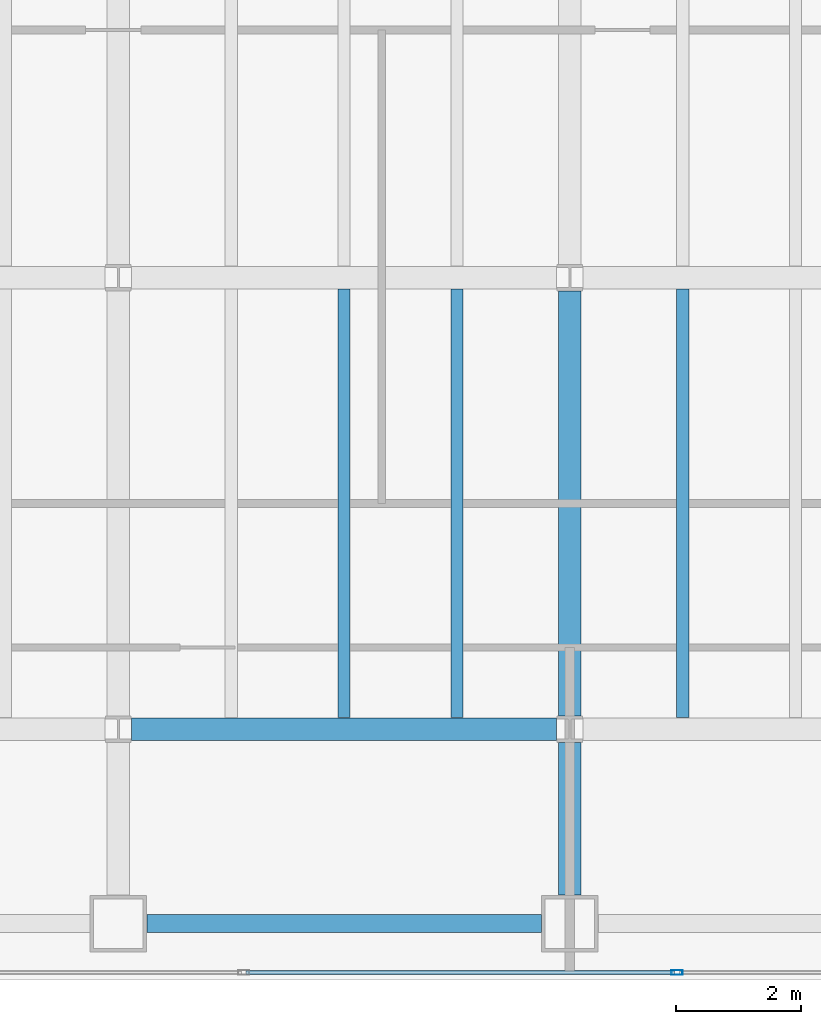
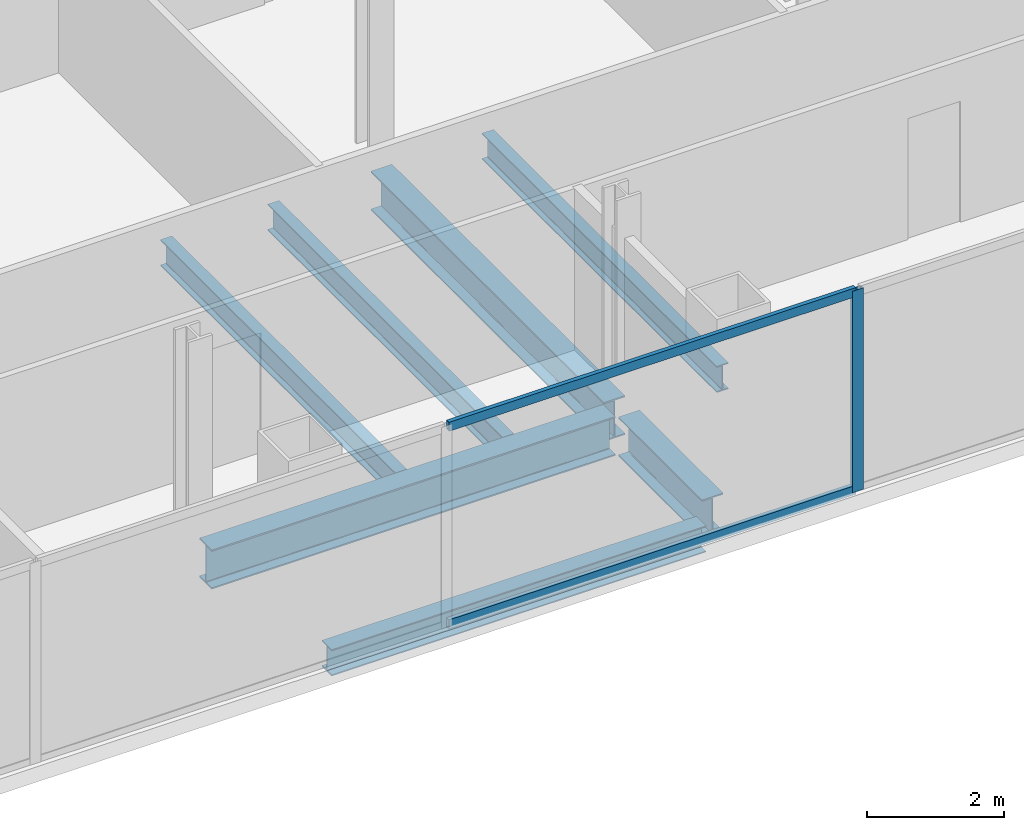
# One storey, part 5 of 24: 7 beams, 3 members, 1 element without a shape of its own.
"""IFC4 building model written with IfcOpenShell, lengths in metres."""

import ifcopenshell
import ifcopenshell.guid

model = None  # the IFC model being written
_history = None  # IfcOwnerHistory: only IFC2X3 demands one
_inside = {}  # id of a spatial element -> (the spatial element, [elements in it])
_under = {}  # id of a project, library or spatial element -> (it, [spatial elements below it])
_declared = {}  # id of a project -> (the project, [libraries it declares])
_typed = {}  # id of a type object -> (the type object, [elements of that type])
_made_of = {}  # id of a material, layer set ... -> (it, [elements and type objects made of it])


def new_model(schema):
    """Start an empty IFC model of exactly this schema.

    Asked for "IFC4X3", IfcOpenShell would pick the latest addendum, in which some entities
    have other attributes; the version numbers below select the first issue.
    IFC2X3 requires an IfcOwnerHistory on every rooted entity: one is made here for all.
    """
    global model, _history
    if schema == "IFC4X3":
        model = ifcopenshell.file(schema_version=(4, 3, 0, 0))
    else:
        model = ifcopenshell.file(schema=schema)
    _inside.clear()
    _under.clear()
    _declared.clear()
    _typed.clear()
    _made_of.clear()
    _history = None
    if model.schema == "IFC2X3":
        org = make("IfcOrganization", Name="unknown")
        user = make(
            "IfcPersonAndOrganization",
            ThePerson=make("IfcPerson", FamilyName="unknown"),
            TheOrganization=org,
        )
        app = make(
            "IfcApplication",
            ApplicationDeveloper=org,
            Version="unknown",
            ApplicationFullName="unknown",
            ApplicationIdentifier="unknown",
        )
        _history = make(
            "IfcOwnerHistory",
            OwningUser=user,
            OwningApplication=app,
            ChangeAction="ADDED",
            CreationDate=0,
        )
    return model


def make(cls, **values):
    """One entity of the class cls with the attributes given. An attribute that is None is left unset."""
    return model.create_entity(
        cls, **{name: value for name, value in values.items() if value is not None}
    )


def rooted(cls, **values):
    """An entity with a GlobalId (a new one), such as an element, a storey or a relation."""
    return make(cls, GlobalId=ifcopenshell.guid.new(), OwnerHistory=_history, **values)


def si_unit(unit_type, name, prefix=None):
    """IfcSIUnit, for example si_unit("LENGTHUNIT", "METRE", prefix="MILLI")."""
    return make("IfcSIUnit", UnitType=unit_type, Prefix=prefix, Name=name)


def assignment(units):
    """IfcUnitAssignment: the units of a project."""
    return None if units is None else make("IfcUnitAssignment", Units=units)


def point(xyz):
    """IfcCartesianPoint."""
    return None if xyz is None else make("IfcCartesianPoint", Coordinates=xyz)


def direction(xyz):
    """IfcDirection."""
    return None if xyz is None else make("IfcDirection", DirectionRatios=xyz)


def frame(location, z_axis=None, x_axis=None):
    """IfcAxis2Placement3D, a coordinate frame: its origin and axes. An axis left out is left unset."""
    return make(
        "IfcAxis2Placement3D",
        Location=point(location),
        Axis=direction(z_axis),
        RefDirection=direction(x_axis),
    )


def frame_2d(location, x_axis=None):
    """IfcAxis2Placement2D, a coordinate frame in the plane: its origin and x axis."""
    return make(
        "IfcAxis2Placement2D", Location=point(location), RefDirection=direction(x_axis)
    )


def origin():
    """The frame at (0, 0, 0) with its axes left unset."""
    return frame((0.0, 0.0, 0.0))


def origin_2d():
    """The frame at (0, 0) in the plane with its x axis left unset."""
    return frame_2d((0.0, 0.0))


def place(relative_to, where):
    """IfcLocalPlacement: puts the frame where relative to a parent placement (None: the world)."""
    return make(
        "IfcLocalPlacement", PlacementRelTo=relative_to, RelativePlacement=where
    )


def context(
    kind, dimensions, precision=None, world=None, true_north=None, identifier=None
):
    """IfcGeometricRepresentationContext, for example the 3D "Model" context."""
    return make(
        "IfcGeometricRepresentationContext",
        ContextIdentifier=identifier,
        ContextType=kind,
        CoordinateSpaceDimension=dimensions,
        Precision=precision,
        WorldCoordinateSystem=world,
        TrueNorth=true_north,
    )


def subcontext(parent, identifier, kind, view, scale=None):
    """IfcGeometricRepresentationSubContext, for example "Body" below "Model"."""
    return make(
        "IfcGeometricRepresentationSubContext",
        ContextIdentifier=identifier,
        ContextType=kind,
        ParentContext=parent,
        TargetScale=scale,
        TargetView=view,
    )


def project(units=None, contexts=None):
    """IfcProject with its units and contexts."""
    return rooted(
        "IfcProject",
        Name="project",
        RepresentationContexts=contexts,
        UnitsInContext=assignment(units),
    )


def spatial(cls, under=None, at=None, **own):
    """A site, building, storey or space (cls), placed at a placement, below another one or the project."""
    s = rooted(cls, ObjectPlacement=at, **own)
    if under is not None:
        _under.setdefault(under.id(), (under, []))[1].append(s)
    return s


def profile(cls, at=None, kind="AREA", **sizes):
    """A parametric profile (cls). Its sizes go by their IFC names, for example OverallWidth=200.0."""
    return make(cls, ProfileType=kind, Position=at, **sizes)


def hollow_rectangle(**sizes):
    """IfcRectangleHollowProfileDef."""
    return profile("IfcRectangleHollowProfileDef", **sizes)


def i_section(**sizes):
    """IfcIShapeProfileDef."""
    return profile("IfcIShapeProfileDef", **sizes)


def extrude(swept, where, along, depth):
    """IfcExtrudedAreaSolid: the profile swept, set in the frame where, extruded along a direction by depth."""
    return make(
        "IfcExtrudedAreaSolid",
        SweptArea=swept,
        Position=where,
        ExtrudedDirection=direction(along),
        Depth=depth,
    )


def shape(context_of_items, identifier, shape_type, items):
    """IfcShapeRepresentation: the items that make up one representation, for example the "Body"."""
    return make(
        "IfcShapeRepresentation",
        ContextOfItems=context_of_items,
        RepresentationIdentifier=identifier,
        RepresentationType=shape_type,
        Items=items,
    )


def material(Name=None, Category=None):
    """IfcMaterial."""
    return make("IfcMaterial", Name=Name, Category=Category)


def material_profile(
    of_material, cross_section, Name=None, Category=None, Priority=None
):
    """IfcMaterialProfile: a cross section and its material."""
    return make(
        "IfcMaterialProfile",
        Name=Name,
        Material=of_material,
        Profile=cross_section,
        Priority=Priority,
        Category=Category,
    )


def profile_set(profiles, Name=None, composite=None):
    """IfcMaterialProfileSet."""
    return make(
        "IfcMaterialProfileSet",
        Name=Name,
        MaterialProfiles=profiles,
        CompositeProfile=composite,
    )


def made_of(thing, what):
    """Note that an element or type object is made of a material, layer set ...; save() writes the relation."""
    if what is not None:
        _made_of.setdefault(what.id(), (what, []))[1].append(thing)
    return thing


def type_object(cls, material=None, **own):
    """A type object (cls), such as IfcWallType, which elements share."""
    return made_of(rooted(cls, **own), material)


def element(
    cls,
    number,
    at=None,
    inside=None,
    cuts=None,
    type_object=None,
    material=None,
    context=None,
    identifier="Body",
    shape_type=None,
    held_by="IfcProductDefinitionShape",
    body=None,
    shapes=None,
    **own,
):
    """One element of the class cls, such as IfcWall. Its Tag is "e" and its number.

    at: its placement. inside: the storey or other place that contains it. cuts: it is an
    opening in that element (IfcRelVoidsElement). A single representation is given by context,
    identifier, shape_type and body (its items); several are given by shapes. held_by: the class
    of the entity that holds the representations. save() writes the other relations.
    """
    e = rooted(cls, Tag="e%d" % number, ObjectPlacement=at, **own)
    if body is not None:
        shapes = [shape(context, identifier, shape_type, body)]
    if shapes is not None:
        e.Representation = make(held_by, Representations=shapes)
    if inside is not None:
        _inside.setdefault(inside.id(), (inside, []))[1].append(e)
    if cuts is not None:
        rooted(
            "IfcRelVoidsElement", RelatingBuildingElement=cuts, RelatedOpeningElement=e
        )
    if type_object is not None:
        _typed.setdefault(type_object.id(), (type_object, []))[1].append(e)
    return made_of(e, material)


def aggregate(whole, parts):
    """IfcRelAggregates: a whole, such as a stair, and the parts it consists of."""
    return rooted("IfcRelAggregates", RelatingObject=whole, RelatedObjects=parts)


def save(model, path):
    """Write the relations noted so far, then the file.

    IfcRelAggregates (storeys below a building ...), IfcRelContainedInSpatialStructure (elements
    in a storey), IfcRelDefinesByType, IfcRelAssociatesMaterial and IfcRelDeclares: one each for
    every whole, place, type object, material and project.
    """
    for whole, parts in _under.values():
        aggregate(whole, parts)
    for where, things in _inside.values():
        rooted(
            "IfcRelContainedInSpatialStructure",
            RelatedElements=things,
            RelatingStructure=where,
        )
    for kind, things in _typed.values():
        rooted("IfcRelDefinesByType", RelatedObjects=things, RelatingType=kind)
    for what, things in _made_of.values():
        rooted("IfcRelAssociatesMaterial", RelatedObjects=things, RelatingMaterial=what)
    for by, libraries in _declared.values():
        rooted("IfcRelDeclares", RelatingContext=by, RelatedDefinitions=libraries)
    model.write(path)


model = new_model("IFC4")

# Units and contexts
model_context = context("Model", 3, precision=1e-05, world=origin(), true_north=direction((0.0, 1.0)))
body_context = subcontext(model_context, "Body", "Model", "MODEL_VIEW")
ifc_project = project(units=[si_unit("LENGTHUNIT", "METRE"), si_unit("AREAUNIT", "SQUARE_METRE"), si_unit("VOLUMEUNIT", "CUBIC_METRE"), si_unit("PLANEANGLEUNIT", "RADIAN"), si_unit("MASSUNIT", "GRAM", prefix="KILO")], contexts=[model_context])

# Site, building, storey
site_placement = place(None, origin())
site = spatial("IfcSite", under=ifc_project, at=site_placement, CompositionType="ELEMENT")
building_placement = place(site_placement, origin())
building = spatial("IfcBuilding", under=site, at=building_placement, Name="Cobrela Telecom Tower", CompositionType="ELEMENT")
storey_placement = place(building_placement, frame((0.0, 0.0, 121.449951171875)))
storey = spatial("IfcBuildingStorey", under=building, at=storey_placement, Name="L30", CompositionType="ELEMENT", Elevation=121.449951171875)

# Beams
ifc_material_1 = material(Name="Steel ASTM A992 Grade 50", Category="steel")
ifc_material_profile_1 = material_profile(ifc_material_1, i_section(OverallWidth=0.35595703125, OverallDepth=0.696044921875, WebThickness=0.015380859375, FlangeThickness=0.024658203125, FilletRadius=0.01806640625, at=origin_2d()), Name="W27X146")
ifc_profile_set_1 = profile_set([ifc_material_profile_1], Name="Steel ASTM A992 Grade 50")
beam_type_1 = type_object("IfcBeamType", Name="BM-GIRD-05", PredefinedType="USERDEFINED", material=ifc_profile_set_1)
beam_1_placement = place(storey_placement, frame((21.8095703125, 7.199951171875, -0.617919921875), z_axis=(1.0, 0.0, 0.0), x_axis=(0.0, 1.0, 0.0)))
element("IfcBeam", 1, at=beam_1_placement, inside=storey, type_object=beam_type_1, Name="L30 Primary Girder X09", ObjectType="GIRDER", PredefinedType="USERDEFINED", context=body_context, shape_type="SweptSolid", body=[
    extrude(i_section(OverallWidth=0.35595703125, OverallDepth=0.696044921875, WebThickness=0.015380859375, FlangeThickness=0.024658203125, FilletRadius=0.01806640625, at=origin_2d()), origin(), (0.0, 0.0, 1.0), 6.781005859375),
])
beam_2_placement = place(storey_placement, frame((28.800048828125, 4.554931640625, -0.617919921875), z_axis=(0.0, 1.0, 0.0), x_axis=(-1.0, 0.0, 0.0)))
element("IfcBeam", 2, at=beam_2_placement, inside=storey, type_object=beam_type_1, Name="L30 Primary Girder Y46", ObjectType="GIRDER", PredefinedType="USERDEFINED", context=body_context, shape_type="SweptSolid", body=[
    extrude(i_section(OverallWidth=0.35595703125, OverallDepth=0.696044921875, WebThickness=0.015380859375, FlangeThickness=0.024658203125, FilletRadius=0.01806640625, at=origin_2d()), origin(), (0.0, 0.0, 1.0), 2.435546875),
])
beam_3_placement = place(storey_placement, frame((28.800048828125, 7.409423828125, -0.617919921875), z_axis=(0.0, 1.0, 0.0), x_axis=(-1.0, 0.0, 0.0)))
element("IfcBeam", 3, at=beam_3_placement, inside=storey, type_object=beam_type_1, Name="L30 Primary Girder Y47", ObjectType="GIRDER", PredefinedType="USERDEFINED", context=body_context, shape_type="SweptSolid", body=[
    extrude(i_section(OverallWidth=0.35595703125, OverallDepth=0.696044921875, WebThickness=0.015380859375, FlangeThickness=0.024658203125, FilletRadius=0.01806640625, at=origin_2d()), origin(), (0.0, 0.0, 1.0), 6.781005859375),
])
ifc_material_profile_2 = material_profile(ifc_material_1, i_section(OverallWidth=0.193115234375, OverallDepth=0.467041015625, WebThickness=0.011474609375, FlangeThickness=0.01904296875, FilletRadius=0.012939453125, at=origin_2d()), Name="W18X65")
ifc_profile_set_2 = profile_set([ifc_material_profile_2], Name="Steel ASTM A992 Grade 50")
beam_type_2 = type_object("IfcBeamType", Name="BM-JOIST-03", PredefinedType="JOIST", material=ifc_profile_set_2)
for number, where, z_axis, x_axis, name in (
    (4, (25.199951171875, 7.383056640625, -0.50341796875), (0.0, 1.0, 0.0), (-1.0, 0.0, 0.0), "L30 Secondary Composite Floor Beam J23"),
    (5, (27.0, 7.383056640625, -0.50341796875), (0.0, 1.0, 0.0), (-1.0, 0.0, 0.0), "L30 Secondary Composite Floor Beam J25"),
    (6, (30.60009765625, 7.383056640625, -0.50341796875), (0.0, 1.0, 0.0), (-1.0, 0.0, 0.0), "L30 Secondary Composite Floor Beam J27"),
):
    element("IfcBeam", number, at=place(storey_placement, frame(where, z_axis=z_axis, x_axis=x_axis)), inside=storey, type_object=beam_type_2, Name=name, PredefinedType="JOIST", context=body_context, shape_type="SweptSolid", body=[
        extrude(i_section(OverallWidth=0.193115234375, OverallDepth=0.467041015625, WebThickness=0.011474609375, FlangeThickness=0.01904296875, FilletRadius=0.012939453125, at=origin_2d()), origin(), (0.0, 0.0, 1.0), 6.833984375),
    ])
ifc_material_profile_3 = material_profile(ifc_material_1, i_section(OverallWidth=0.281982421875, OverallDepth=0.467041015625, WebThickness=0.01220703125, FlangeThickness=0.01953125, FilletRadius=0.012939453125, at=origin_2d()), Name="W18X86")
ifc_profile_set_3 = profile_set([ifc_material_profile_3], Name="Steel ASTM A992 Grade 50")
beam_type_3 = type_object("IfcBeamType", Name="BM-SPAND-04", PredefinedType="SPANDREL", material=ifc_profile_set_3)
beam_4_placement = place(storey_placement, frame((22.054931640625, 4.10009765625, -0.50341796875), z_axis=(1.0, 0.0, 0.0), x_axis=(0.0, 1.0, 0.0)))
element("IfcBeam", 7, at=beam_4_placement, inside=storey, type_object=beam_type_3, Name="L30 Perimeter Spandrel X03", PredefinedType="SPANDREL", context=body_context, shape_type="SweptSolid", body=[
    extrude(i_section(OverallWidth=0.281982421875, OverallDepth=0.467041015625, WebThickness=0.01220703125, FlangeThickness=0.01953125, FilletRadius=0.012939453125, at=origin_2d()), origin(), (0.0, 0.0, 1.0), 6.2900390625),
])

# Curtain wall, members
ifc_material_2 = material(Name="Anodized Bronze Aluminium 6063-T6", Category="aluminium")
curtain_wall_type = type_object("IfcCurtainWallType", Name="CW-SYS-TEL", PredefinedType="USERDEFINED", material=ifc_material_2)
curtain_wall_placement = place(storey_placement, origin())
curtain_wall = element("IfcCurtainWall", 8, at=curtain_wall_placement, inside=storey, type_object=curtain_wall_type, Name="L30 Unitised Bronze Curtain Wall 17", ObjectType="UNITISED CURTAIN WALL", PredefinedType="USERDEFINED")
ifc_material_profile_4 = material_profile(ifc_material_2, hollow_rectangle(XDim=0.074951171875, YDim=0.179931640625, WallThickness=0.00390625, at=origin_2d()), Name="ALU 75x180x4")
ifc_profile_set_4 = profile_set([ifc_material_profile_4], Name="Anodized Bronze Aluminium 6063-T6")
member_type_1 = type_object("IfcMemberType", Name="CW-SYS-TEL-MUL", PredefinedType="MULLION", material=ifc_profile_set_4)
member_1_placement = place(storey_placement, frame((30.510009765625, 3.320068359375, 0.0), z_axis=(0.0, 0.0, 1.0), x_axis=(0.0, -1.0, 0.0)))
member_1 = element("IfcMember", 9, at=member_1_placement, type_object=member_type_1, Name="CW-TEL mullion 3", PredefinedType="MULLION", context=body_context, shape_type="SweptSolid", body=[
    extrude(hollow_rectangle(XDim=0.074951171875, YDim=0.179931640625, WallThickness=0.00390625, at=origin_2d()), origin(), (0.0, 0.0, 1.0), 3.580078125),
])
ifc_material_profile_5 = material_profile(ifc_material_2, hollow_rectangle(XDim=0.070068359375, YDim=0.159912109375, WallThickness=0.00390625, at=origin_2d()), Name="ALU 70x160x4")
ifc_profile_set_5 = profile_set([ifc_material_profile_5], Name="Anodized Bronze Aluminium 6063-T6")
member_type_2 = type_object("IfcMemberType", Name="CW-SYS-TEL-TRN", PredefinedType="USERDEFINED", material=ifc_profile_set_5)
member_2_placement = place(storey_placement, frame((30.472412109375, 3.320068359375, 0.03515625), z_axis=(-1.0, 0.0, 0.0), x_axis=(0.0, -1.0, 0.0)))
member_2 = element("IfcMember", 10, at=member_2_placement, type_object=member_type_2, Name="CW-TEL transom 3.1", ObjectType="TRANSOM", PredefinedType="USERDEFINED", context=body_context, shape_type="SweptSolid", body=[
    extrude(hollow_rectangle(XDim=0.070068359375, YDim=0.159912109375, WallThickness=0.00390625, at=origin_2d()), origin(), (0.0, 0.0, 1.0), 6.8349609375),
])
member_3_placement = place(storey_placement, frame((30.472412109375, 3.320068359375, 3.545166015625), z_axis=(-1.0, 0.0, 0.0), x_axis=(0.0, -1.0, 0.0)))
member_3 = element("IfcMember", 11, at=member_3_placement, type_object=member_type_2, Name="CW-TEL transom 3.2", ObjectType="TRANSOM", PredefinedType="USERDEFINED", context=body_context, shape_type="SweptSolid", body=[
    extrude(hollow_rectangle(XDim=0.070068359375, YDim=0.159912109375, WallThickness=0.00390625, at=origin_2d()), origin(), (0.0, 0.0, 1.0), 6.8349609375),
])
aggregate(curtain_wall, [member_1, member_2, member_3])

save(model, "model.ifc")
